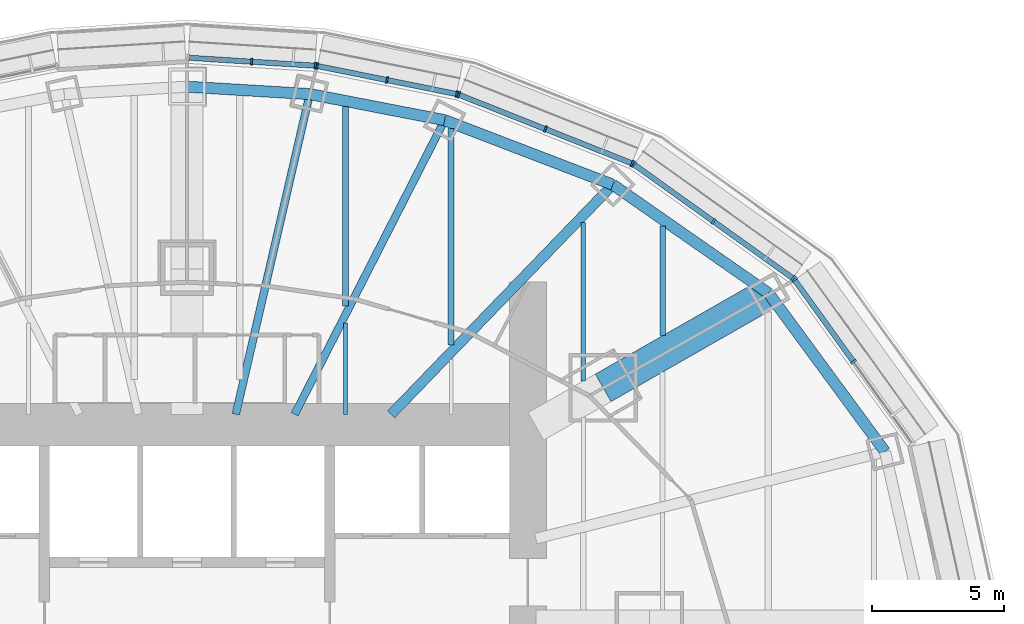
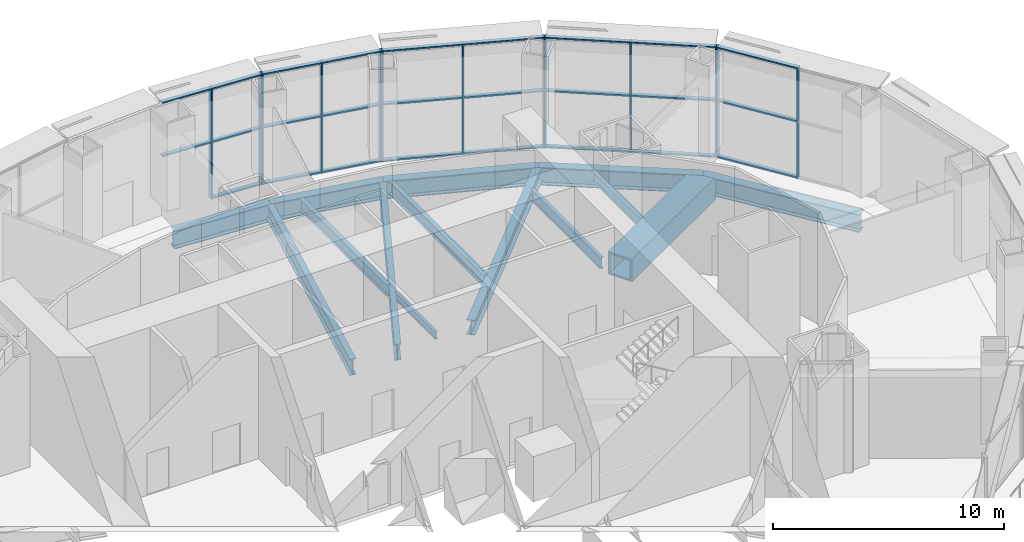
# One storey, part 7 of 21: 39 members, 14 beams, 5 elements without a shape of their own.
"""IFC4 building model written with IfcOpenShell, lengths in metres."""

from ifc_helpers import new_model, si_unit, direction, frame, origin, origin_2d, place, context, subcontext, project, spatial, rectangle, hollow_rectangle, i_section, extrude, material, material_profile, profile_set, type_object, element, aggregate, save


model = new_model("IFC4")

# Units and contexts
model_context = context("Model", 3, precision=1e-05, world=origin(), true_north=direction((0.0, 1.0)))
body_context = subcontext(model_context, "Body", "Model", "MODEL_VIEW")
ifc_project = project(units=[si_unit("LENGTHUNIT", "METRE"), si_unit("AREAUNIT", "SQUARE_METRE"), si_unit("VOLUMEUNIT", "CUBIC_METRE"), si_unit("PLANEANGLEUNIT", "RADIAN"), si_unit("MASSUNIT", "GRAM", prefix="KILO")], contexts=[model_context])

# Site, building, storey
site_placement = place(None, origin())
site = spatial("IfcSite", under=ifc_project, at=site_placement, CompositionType="ELEMENT")
building_placement = place(site_placement, origin())
building = spatial("IfcBuilding", under=site, at=building_placement, Name="Lantaw Convention Tower", CompositionType="ELEMENT")
storey_placement = place(building_placement, frame((0.0, 0.0, 111.39990234375)))
storey = spatial("IfcBuildingStorey", under=building, at=storey_placement, Name="L26", CompositionType="ELEMENT", Elevation=111.39990234375)

# Beams
ifc_material_1 = material(Name="Steel ASTM A992", Category="steel")
ifc_material_profile_1 = material_profile(ifc_material_1, i_section(OverallWidth=0.424072265625, OverallDepth=0.947509765625, WebThickness=0.02392578125, FlangeThickness=0.042724609375, FilletRadius=0.012451171875, at=origin_2d()), Name="W36X302")
ifc_profile_set_1 = profile_set([ifc_material_profile_1], Name="Steel ASTM A992")
beam_type_1 = type_object("IfcBeamType", Name="Beam BC W36X302", PredefinedType="SPANDREL", material=ifc_profile_set_1)
beam_1_placement = place(storey_placement, frame((26.419921875, 6.587158203125, -0.673583984375), z_axis=(-0.5923891972, 0.805651934176, 0.0), x_axis=(-0.805651934176, -0.5923891972, 0.0)))
element("IfcBeam", 1, at=beam_1_placement, inside=storey, type_object=beam_type_1, Name="Belt truss chord 2", PredefinedType="SPANDREL", context=body_context, shape_type="SweptSolid", body=[
    extrude(i_section(OverallWidth=0.424072265625, OverallDepth=0.947509765625, WebThickness=0.02392578125, FlangeThickness=0.042724609375, FilletRadius=0.012451171875, at=origin_2d()), origin(), (0.0, 0.0, 1.0), 7.437744140625),
])
beam_2_placement = place(storey_placement, frame((22.013916015625, 12.579345703125, -0.673583984375), z_axis=(-0.820310765287, 0.57191804339, 0.0), x_axis=(-0.57191804339, -0.820310765287, 0.0)))
element("IfcBeam", 2, at=beam_2_placement, inside=storey, type_object=beam_type_1, Name="Belt truss chord 3", PredefinedType="SPANDREL", context=body_context, shape_type="SweptSolid", body=[
    extrude(i_section(OverallWidth=0.424072265625, OverallDepth=0.947509765625, WebThickness=0.02392578125, FlangeThickness=0.042724609375, FilletRadius=0.012451171875, at=origin_2d()), origin(), (0.0, 0.0, 1.0), 7.187744140625),
])
beam_3_placement = place(storey_placement, frame((16.11767578125, 16.690185546875, -0.673583984375), z_axis=(-0.933691081977, 0.358079549033, 0.0), x_axis=(-0.358079549033, -0.933691081977, 0.0)))
element("IfcBeam", 3, at=beam_3_placement, inside=storey, type_object=beam_type_1, Name="Belt truss chord 4", PredefinedType="SPANDREL", context=body_context, shape_type="SweptSolid", body=[
    extrude(i_section(OverallWidth=0.424072265625, OverallDepth=0.947509765625, WebThickness=0.02392578125, FlangeThickness=0.042724609375, FilletRadius=0.012451171875, at=origin_2d()), origin(), (0.0, 0.0, 1.0), 6.821533203125),
])
beam_4_placement = place(storey_placement, frame((9.74853515625, 19.1328125, -0.673583984375), z_axis=(-0.981796805654, 0.189934284446, 0.0), x_axis=(-0.189934284446, -0.981796805654, 0.0)))
element("IfcBeam", 4, at=beam_4_placement, inside=storey, type_object=beam_type_1, Name="Belt truss chord 5", PredefinedType="SPANDREL", context=body_context, shape_type="SweptSolid", body=[
    extrude(i_section(OverallWidth=0.424072265625, OverallDepth=0.947509765625, WebThickness=0.02392578125, FlangeThickness=0.042724609375, FilletRadius=0.012451171875, at=origin_2d()), origin(), (0.0, 0.0, 1.0), 5.1982421875),
])
beam_5_placement = place(storey_placement, frame((4.64501953125, 20.1201171875, -0.673583984375), z_axis=(-0.998190892054, 0.06012439621, 0.0), x_axis=(-0.06012439621, -0.998190892054, 0.0)))
element("IfcBeam", 5, at=beam_5_placement, inside=storey, type_object=beam_type_1, Name="Belt truss chord 6", PredefinedType="SPANDREL", context=body_context, shape_type="SweptSolid", body=[
    extrude(i_section(OverallWidth=0.424072265625, OverallDepth=0.947509765625, WebThickness=0.02392578125, FlangeThickness=0.042724609375, FilletRadius=0.012451171875, at=origin_2d()), origin(), (0.0, 0.0, 1.0), 4.6533203125),
])
ifc_material_2 = material(Name="Steel EN 10025-3 S460N", Category="steel")
ifc_material_profile_2 = material_profile(ifc_material_2, hollow_rectangle(XDim=1.199951171875, YDim=1.199951171875, WallThickness=0.10009765625, at=origin_2d()), Name="BOX1200X100")
ifc_profile_set_2 = profile_set([ifc_material_profile_2], Name="Steel EN 10025-3 S460N")
beam_type_2 = type_object("IfcBeamType", Name="Beam G BOX1200X100", PredefinedType="BEAM", material=ifc_profile_set_2)
beam_6_placement = place(storey_placement, frame((15.75, 9.0, -0.7998046875), z_axis=(0.868245224608, 0.496135293993, 0.0), x_axis=(-0.496135293993, 0.868245224608, 0.0)))
element("IfcBeam", 6, at=beam_6_placement, inside=storey, type_object=beam_type_2, Name="Floor girder on ray 3", PredefinedType="BEAM", context=body_context, shape_type="SweptSolid", body=[
    extrude(hollow_rectangle(XDim=1.199951171875, YDim=1.199951171875, WallThickness=0.10009765625, at=origin_2d()), origin(), (0.0, 0.0, 1.0), 7.21435546875),
])
ifc_material_profile_3 = material_profile(ifc_material_1, i_section(OverallWidth=0.383544921875, OverallDepth=0.784912109375, WebThickness=0.019775390625, FlangeThickness=0.033447265625, FilletRadius=0.014892578125, at=origin_2d()), Name="W30X211")
ifc_profile_set_3 = profile_set([ifc_material_profile_3], Name="Steel ASTM A992")
beam_type_3 = type_object("IfcBeamType", Name="Beam G W30X211", PredefinedType="BEAM", material=ifc_profile_set_3)
beam_7_placement = place(storey_placement, frame((7.7255859375, 8.0, -0.59228515625), z_axis=(0.694661591875, 0.719336689439, 0.0), x_axis=(-0.719336689439, 0.694661591875, 0.0)))
element("IfcBeam", 7, at=beam_7_placement, inside=storey, type_object=beam_type_3, Name="Floor girder on ray 4", PredefinedType="BEAM", context=body_context, shape_type="SweptSolid", body=[
    extrude(i_section(OverallWidth=0.383544921875, OverallDepth=0.784912109375, WebThickness=0.019775390625, FlangeThickness=0.033447265625, FilletRadius=0.014892578125, at=origin_2d()), origin(), (0.0, 0.0, 1.0), 12.080810546875),
])
ifc_material_profile_4 = material_profile(ifc_material_1, i_section(OverallWidth=0.2919921875, OverallDepth=0.845703125, WebThickness=0.015380859375, FlangeThickness=0.0244140625, FilletRadius=0.01513671875, at=origin_2d()), Name="W33X141")
ifc_profile_set_4 = profile_set([ifc_material_profile_4], Name="Steel ASTM A992")
beam_type_4 = type_object("IfcBeamType", Name="Beam G W33X141", PredefinedType="BEAM", material=ifc_profile_set_4)
beam_8_placement = place(storey_placement, frame((4.076171875, 8.0, -0.622802734375), z_axis=(0.453984907555, 0.891009373527, 0.0), x_axis=(-0.891009373527, 0.453984907555, 0.0)))
element("IfcBeam", 8, at=beam_8_placement, inside=storey, type_object=beam_type_4, Name="Floor girder on ray 5", PredefinedType="BEAM", context=body_context, shape_type="SweptSolid", body=[
    extrude(i_section(OverallWidth=0.2919921875, OverallDepth=0.845703125, WebThickness=0.015380859375, FlangeThickness=0.0244140625, FilletRadius=0.01513671875, at=origin_2d()), origin(), (0.0, 0.0, 1.0), 12.49462890625),
])
beam_9_placement = place(storey_placement, frame((1.846923828125, 8.0, -0.622802734375), z_axis=(0.224946945919, 0.974371013281, 0.0), x_axis=(-0.974371013281, 0.224946945919, 0.0)))
element("IfcBeam", 9, at=beam_9_placement, inside=storey, type_object=beam_type_4, Name="Floor girder on ray 6", PredefinedType="BEAM", context=body_context, shape_type="SweptSolid", body=[
    extrude(i_section(OverallWidth=0.2919921875, OverallDepth=0.845703125, WebThickness=0.015380859375, FlangeThickness=0.0244140625, FilletRadius=0.01513671875, at=origin_2d()), origin(), (0.0, 0.0, 1.0), 12.43896484375),
])
ifc_material_profile_5 = material_profile(ifc_material_1, i_section(OverallWidth=0.140380859375, OverallDepth=0.40380859375, WebThickness=0.007080078125, FlangeThickness=0.01123046875, FilletRadius=0.01025390625, at=origin_2d()), Name="W16X31")
ifc_profile_set_5 = profile_set([ifc_material_profile_5], Name="Steel ASTM A992")
beam_type_5 = type_object("IfcBeamType", Name="Beam J W16X31", PredefinedType="JOIST", material=ifc_profile_set_5)
beam_10_placement = place(storey_placement, frame((6.0, 8.0, -0.40185546875), z_axis=(0.0, 1.0, 0.0), x_axis=(-1.0, 0.0, 0.0)))
element("IfcBeam", 10, at=beam_10_placement, inside=storey, type_object=beam_type_5, Name="Floor joist", PredefinedType="JOIST", context=body_context, shape_type="SweptSolid", body=[
    extrude(i_section(OverallWidth=0.140380859375, OverallDepth=0.40380859375, WebThickness=0.007080078125, FlangeThickness=0.01123046875, FilletRadius=0.01025390625, at=origin_2d()), origin(), (0.0, 0.0, 1.0), 3.453857421875),
])
ifc_material_profile_6 = material_profile(ifc_material_1, i_section(OverallWidth=0.2099609375, OverallDepth=0.535888671875, WebThickness=0.010986328125, FlangeThickness=0.017333984375, FilletRadius=0.012939453125, at=origin_2d()), Name="W21X68")
ifc_profile_set_6 = profile_set([ifc_material_profile_6], Name="Steel ASTM A992")
beam_type_6 = type_object("IfcBeamType", Name="Beam J W21X68", PredefinedType="JOIST", material=ifc_profile_set_6)
beam_11_placement = place(storey_placement, frame((18.0, 10.976806640625, -0.4677734375), z_axis=(0.0, 1.0, 0.0), x_axis=(-1.0, 0.0, 0.0)))
element("IfcBeam", 11, at=beam_11_placement, inside=storey, type_object=beam_type_6, Name="Floor joist", PredefinedType="JOIST", context=body_context, shape_type="SweptSolid", body=[
    extrude(i_section(OverallWidth=0.2099609375, OverallDepth=0.535888671875, WebThickness=0.010986328125, FlangeThickness=0.017333984375, FilletRadius=0.012939453125, at=origin_2d()), origin(), (0.0, 0.0, 1.0), 4.142578125),
])
ifc_material_profile_7 = material_profile(ifc_material_1, i_section(OverallWidth=0.177978515625, OverallDepth=0.599365234375, WebThickness=0.010009765625, FlangeThickness=0.012939453125, FilletRadius=0.012939453125, at=origin_2d()), Name="W24X55")
ifc_profile_set_7 = profile_set([ifc_material_profile_7], Name="Steel ASTM A992")
beam_type_7 = type_object("IfcBeamType", Name="Beam J W24X55", PredefinedType="JOIST", material=ifc_profile_set_7)
beam_12_placement = place(storey_placement, frame((15.0, 9.262451171875, -0.49951171875), z_axis=(0.0, 1.0, 0.0), x_axis=(-1.0, 0.0, 0.0)))
element("IfcBeam", 12, at=beam_12_placement, inside=storey, type_object=beam_type_7, Name="Floor joist", PredefinedType="JOIST", context=body_context, shape_type="SweptSolid", body=[
    extrude(i_section(OverallWidth=0.177978515625, OverallDepth=0.599365234375, WebThickness=0.010009765625, FlangeThickness=0.012939453125, FilletRadius=0.012939453125, at=origin_2d()), origin(), (0.0, 0.0, 1.0), 5.994384765625),
])
ifc_material_profile_8 = material_profile(ifc_material_1, i_section(OverallWidth=0.227783203125, OverallDepth=0.60205078125, WebThickness=0.010498046875, FlangeThickness=0.014892578125, FilletRadius=0.012939453125, at=origin_2d()), Name="W24X68")
ifc_profile_set_8 = profile_set([ifc_material_profile_8], Name="Steel ASTM A992")
beam_type_8 = type_object("IfcBeamType", Name="Beam J W24X68", PredefinedType="JOIST", material=ifc_profile_set_8)
beam_13_placement = place(storey_placement, frame((6.0, 12.097412109375, -0.5009765625), z_axis=(0.0, 1.0, 0.0), x_axis=(-1.0, 0.0, 0.0)))
element("IfcBeam", 13, at=beam_13_placement, inside=storey, type_object=beam_type_8, Name="Floor joist", PredefinedType="JOIST", context=body_context, shape_type="SweptSolid", body=[
    extrude(i_section(OverallWidth=0.227783203125, OverallDepth=0.60205078125, WebThickness=0.010498046875, FlangeThickness=0.014892578125, FilletRadius=0.012939453125, at=origin_2d()), origin(), (0.0, 0.0, 1.0), 7.54443359375),
])
ifc_material_profile_9 = material_profile(ifc_material_1, i_section(OverallWidth=0.22900390625, OverallDepth=0.612060546875, WebThickness=0.011962890625, FlangeThickness=0.01953125, FilletRadius=0.0126953125, at=origin_2d()), Name="W24X84")
ifc_profile_set_9 = profile_set([ifc_material_profile_9], Name="Steel ASTM A992")
beam_type_9 = type_object("IfcBeamType", Name="Beam J W24X84", PredefinedType="JOIST", material=ifc_profile_set_9)
beam_14_placement = place(storey_placement, frame((10.0, 10.63134765625, -0.505859375), z_axis=(0.0, 1.0, 0.0), x_axis=(-1.0, 0.0, 0.0)))
element("IfcBeam", 14, at=beam_14_placement, inside=storey, type_object=beam_type_9, Name="Floor joist", PredefinedType="JOIST", context=body_context, shape_type="SweptSolid", body=[
    extrude(i_section(OverallWidth=0.22900390625, OverallDepth=0.612060546875, WebThickness=0.011962890625, FlangeThickness=0.01953125, FilletRadius=0.0126953125, at=origin_2d()), origin(), (0.0, 0.0, 1.0), 8.177734375),
])

# Curtain wall, members
ifc_material_3 = material(Name="Aluminium framed curtain wall", Category="aluminium")
curtain_wall_type = type_object("IfcCurtainWallType", Name="Sky lobby curtain wall L26, pale aluminium", PredefinedType="USERDEFINED", material=ifc_material_3)
curtain_wall_1_placement = place(storey_placement, origin())
curtain_wall_1 = element("IfcCurtainWall", 15, at=curtain_wall_1_placement, inside=storey, type_object=curtain_wall_type, Name="Sky lobby curtain wall L26, pale aluminium L26", ObjectType="STICK CURTAIN WALL", PredefinedType="USERDEFINED")
ifc_material_4 = material(Name="Aluminium 6063-T6", Category="aluminium")
ifc_material_profile_10 = material_profile(ifc_material_4, rectangle(XDim=0.25, YDim=0.074951171875, at=origin_2d()), Name="CW-SL mullion 75x250")
ifc_profile_set_10 = profile_set([ifc_material_profile_10], Name="Aluminium 6063-T6")
member_type_1 = type_object("IfcMemberType", Name="CW-SL mullion 75x250", PredefinedType="MULLION", material=ifc_profile_set_10)
member_1_placement = place(storey_placement, frame((25.22802734375, 9.9892578125, 0.0), z_axis=(0.0, 0.0, 1.0), x_axis=(-0.811384633629, -0.584512597221, 0.0)))
member_1 = element("IfcMember", 16, at=member_1_placement, type_object=member_type_1, Name="CW-SL mullion 2", PredefinedType="MULLION", context=body_context, shape_type="SweptSolid", body=[
    extrude(rectangle(XDim=0.25, YDim=0.074951171875, at=origin_2d()), origin(), (0.0, 0.0, 1.0), 5.85009765625),
])
member_2_placement = place(storey_placement, frame((22.990966796875, 13.0947265625, 0.0), z_axis=(0.0, 0.0, 1.0), x_axis=(-0.811384633629, -0.584512597221, 0.0)))
member_2 = element("IfcMember", 17, at=member_2_placement, type_object=member_type_1, Name="CW-SL mullion 3", PredefinedType="MULLION", context=body_context, shape_type="SweptSolid", body=[
    extrude(rectangle(XDim=0.25, YDim=0.074951171875, at=origin_2d()), origin(), (0.0, 0.0, 1.0), 5.85009765625),
])

curtain_wall_2_placement = place(storey_placement, origin())
curtain_wall_2 = element("IfcCurtainWall", 18, at=curtain_wall_2_placement, inside=storey, type_object=curtain_wall_type, Name="Sky lobby curtain wall L26, pale aluminium L26", ObjectType="STICK CURTAIN WALL", PredefinedType="USERDEFINED")
member_3_placement = place(storey_placement, frame((22.9384765625, 13.14697265625, 0.0), z_axis=(0.0, 0.0, 1.0), x_axis=(-0.581972695693, -0.813208325995, 0.0)))
member_3 = element("IfcMember", 19, at=member_3_placement, type_object=member_type_1, Name="CW-SL mullion 1", PredefinedType="MULLION", context=body_context, shape_type="SweptSolid", body=[
    extrude(rectangle(XDim=0.25, YDim=0.074951171875, at=origin_2d()), origin(), (0.0, 0.0, 1.0), 5.85009765625),
])
member_4_placement = place(storey_placement, frame((19.92529296875, 15.303466796875, 0.0), z_axis=(0.0, 0.0, 1.0), x_axis=(-0.581972695693, -0.813208325995, 0.0)))
member_4 = element("IfcMember", 20, at=member_4_placement, type_object=member_type_1, Name="CW-SL mullion 2", PredefinedType="MULLION", context=body_context, shape_type="SweptSolid", body=[
    extrude(rectangle(XDim=0.25, YDim=0.074951171875, at=origin_2d()), origin(), (0.0, 0.0, 1.0), 5.85009765625),
])
member_5_placement = place(storey_placement, frame((16.912353515625, 17.459716796875, 0.0), z_axis=(0.0, 0.0, 1.0), x_axis=(-0.581972695693, -0.813208325995, 0.0)))
member_5 = element("IfcMember", 21, at=member_5_placement, type_object=member_type_1, Name="CW-SL mullion 3", PredefinedType="MULLION", context=body_context, shape_type="SweptSolid", body=[
    extrude(rectangle(XDim=0.25, YDim=0.074951171875, at=origin_2d()), origin(), (0.0, 0.0, 1.0), 5.85009765625),
])

curtain_wall_3_placement = place(storey_placement, origin())
curtain_wall_3 = element("IfcCurtainWall", 22, at=curtain_wall_3_placement, inside=storey, type_object=curtain_wall_type, Name="Sky lobby curtain wall L26, pale aluminium L26", ObjectType="STICK CURTAIN WALL", PredefinedType="USERDEFINED")
member_6_placement = place(storey_placement, frame((16.846923828125, 17.495361328125, 0.0), z_axis=(0.0, 0.0, 1.0), x_axis=(-0.368701907483, -0.929547687544, 0.0)))
member_6 = element("IfcMember", 23, at=member_6_placement, type_object=member_type_1, Name="CW-SL mullion 1", PredefinedType="MULLION", context=body_context, shape_type="SweptSolid", body=[
    extrude(rectangle(XDim=0.25, YDim=0.074951171875, at=origin_2d()), origin(), (0.0, 0.0, 1.0), 5.85009765625),
])
member_7_placement = place(storey_placement, frame((13.56494140625, 18.797119140625, 0.0), z_axis=(0.0, 0.0, 1.0), x_axis=(-0.368701907483, -0.929547687544, 0.0)))
member_7 = element("IfcMember", 24, at=member_7_placement, type_object=member_type_1, Name="CW-SL mullion 2", PredefinedType="MULLION", context=body_context, shape_type="SweptSolid", body=[
    extrude(rectangle(XDim=0.25, YDim=0.074951171875, at=origin_2d()), origin(), (0.0, 0.0, 1.0), 5.85009765625),
])
member_8_placement = place(storey_placement, frame((10.282958984375, 20.098876953125, 0.0), z_axis=(0.0, 0.0, 1.0), x_axis=(-0.368701907483, -0.929547687544, 0.0)))
member_8 = element("IfcMember", 25, at=member_8_placement, type_object=member_type_1, Name="CW-SL mullion 3", PredefinedType="MULLION", context=body_context, shape_type="SweptSolid", body=[
    extrude(rectangle(XDim=0.25, YDim=0.074951171875, at=origin_2d()), origin(), (0.0, 0.0, 1.0), 5.85009765625),
])

curtain_wall_4_placement = place(storey_placement, origin())
curtain_wall_4 = element("IfcCurtainWall", 26, at=curtain_wall_4_placement, inside=storey, type_object=curtain_wall_type, Name="Sky lobby curtain wall L26, pale aluminium L26", ObjectType="STICK CURTAIN WALL", PredefinedType="USERDEFINED")
member_9_placement = place(storey_placement, frame((10.211181640625, 20.1201171875, 0.0), z_axis=(0.0, 0.0, 1.0), x_axis=(-0.197506809659, -0.980301514912, 0.0)))
member_9 = element("IfcMember", 27, at=member_9_placement, type_object=member_type_1, Name="CW-SL mullion 1", PredefinedType="MULLION", context=body_context, shape_type="SweptSolid", body=[
    extrude(rectangle(XDim=0.25, YDim=0.074951171875, at=origin_2d()), origin(), (0.0, 0.0, 1.0), 5.85009765625),
])
member_10_placement = place(storey_placement, frame((7.5703125, 20.65234375, 0.0), z_axis=(0.0, 0.0, 1.0), x_axis=(-0.197506809659, -0.980301514912, 0.0)))
member_10 = element("IfcMember", 28, at=member_10_placement, type_object=member_type_1, Name="CW-SL mullion 2", PredefinedType="MULLION", context=body_context, shape_type="SweptSolid", body=[
    extrude(rectangle(XDim=0.25, YDim=0.074951171875, at=origin_2d()), origin(), (0.0, 0.0, 1.0), 5.85009765625),
])
member_11_placement = place(storey_placement, frame((4.92919921875, 21.184326171875, 0.0), z_axis=(0.0, 0.0, 1.0), x_axis=(-0.197506809659, -0.980301514912, 0.0)))
member_11 = element("IfcMember", 29, at=member_11_placement, type_object=member_type_1, Name="CW-SL mullion 3", PredefinedType="MULLION", context=body_context, shape_type="SweptSolid", body=[
    extrude(rectangle(XDim=0.25, YDim=0.074951171875, at=origin_2d()), origin(), (0.0, 0.0, 1.0), 5.85009765625),
])

curtain_wall_5_placement = place(storey_placement, origin())
curtain_wall_5 = element("IfcCurtainWall", 30, at=curtain_wall_5_placement, inside=storey, type_object=curtain_wall_type, Name="Sky lobby curtain wall L26, pale aluminium L26", ObjectType="STICK CURTAIN WALL", PredefinedType="USERDEFINED")
member_12_placement = place(storey_placement, frame((4.85498046875, 21.194091796875, 0.0), z_axis=(0.0, 0.0, 1.0), x_axis=(-0.062865059466, -0.998022035978, 0.0)))
member_12 = element("IfcMember", 31, at=member_12_placement, type_object=member_type_1, Name="CW-SL mullion 1", PredefinedType="MULLION", context=body_context, shape_type="SweptSolid", body=[
    extrude(rectangle(XDim=0.25, YDim=0.074951171875, at=origin_2d()), origin(), (0.0, 0.0, 1.0), 5.85009765625),
])
member_13_placement = place(storey_placement, frame((2.4462890625, 21.345947265625, 0.0), z_axis=(0.0, 0.0, 1.0), x_axis=(-0.062865059466, -0.998022035978, 0.0)))
member_13 = element("IfcMember", 32, at=member_13_placement, type_object=member_type_1, Name="CW-SL mullion 2", PredefinedType="MULLION", context=body_context, shape_type="SweptSolid", body=[
    extrude(rectangle(XDim=0.25, YDim=0.074951171875, at=origin_2d()), origin(), (0.0, 0.0, 1.0), 5.85009765625),
])

# Member
ifc_material_profile_11 = material_profile(ifc_material_4, rectangle(XDim=0.199951171875, YDim=0.074951171875, at=origin_2d()), Name="CW-SL transom 75x200")
ifc_profile_set_11 = profile_set([ifc_material_profile_11], Name="Aluminium 6063-T6")
member_type_2 = type_object("IfcMemberType", Name="CW-SL transom 75x200", PredefinedType="USERDEFINED", material=ifc_profile_set_11)
member_14_placement = place(storey_placement, frame((25.206298828125, 10.019775390625, 0.03759765625), z_axis=(-0.584513808676, 0.811383760909, 0.0), x_axis=(-0.811383760909, -0.584513808676, 0.0)))
member_14 = element("IfcMember", 33, at=member_14_placement, type_object=member_type_2, Name="CW-SL transom 2.1", ObjectType="TRANSOM", PredefinedType="USERDEFINED", context=body_context, shape_type="SweptSolid", body=[
    extrude(rectangle(XDim=0.199951171875, YDim=0.074951171875, at=origin_2d()), origin(), (0.0, 0.0, 1.0), 3.75244140625),
])

member_15_placement = place(storey_placement, frame((25.206298828125, 10.019775390625, 3.0), z_axis=(-0.584513808676, 0.811383760909, 0.0), x_axis=(-0.811383760909, -0.584513808676, 0.0)))
member_15 = element("IfcMember", 34, at=member_15_placement, type_object=member_type_2, Name="CW-SL transom 2.2", ObjectType="TRANSOM", PredefinedType="USERDEFINED", context=body_context, shape_type="SweptSolid", body=[
    extrude(rectangle(XDim=0.199951171875, YDim=0.074951171875, at=origin_2d()), origin(), (0.0, 0.0, 1.0), 3.75244140625),
])

member_16_placement = place(storey_placement, frame((25.206298828125, 10.019775390625, 5.8125), z_axis=(-0.584513808676, 0.811383760909, 0.0), x_axis=(-0.811383760909, -0.584513808676, 0.0)))
member_16 = element("IfcMember", 35, at=member_16_placement, type_object=member_type_2, Name="CW-SL transom 2.3", ObjectType="TRANSOM", PredefinedType="USERDEFINED", context=body_context, shape_type="SweptSolid", body=[
    extrude(rectangle(XDim=0.199951171875, YDim=0.074951171875, at=origin_2d()), origin(), (0.0, 0.0, 1.0), 3.75244140625),
])

aggregate(curtain_wall_1, [member_1, member_2, member_14, member_15, member_16])

member_17_placement = place(storey_placement, frame((22.907958984375, 13.1689453125, 0.03759765625), z_axis=(-0.813228763898, 0.581944136124, 0.0), x_axis=(-0.581944136124, -0.813228763898, 0.0)))
member_17 = element("IfcMember", 36, at=member_17_placement, type_object=member_type_2, Name="CW-SL transom 1.1", ObjectType="TRANSOM", PredefinedType="USERDEFINED", context=body_context, shape_type="SweptSolid", body=[
    extrude(rectangle(XDim=0.199951171875, YDim=0.074951171875, at=origin_2d()), origin(), (0.0, 0.0, 1.0), 3.630126953125),
])

member_18_placement = place(storey_placement, frame((22.907958984375, 13.1689453125, 3.0), z_axis=(-0.813228763898, 0.581944136124, 0.0), x_axis=(-0.581944136124, -0.813228763898, 0.0)))
member_18 = element("IfcMember", 37, at=member_18_placement, type_object=member_type_2, Name="CW-SL transom 1.2", ObjectType="TRANSOM", PredefinedType="USERDEFINED", context=body_context, shape_type="SweptSolid", body=[
    extrude(rectangle(XDim=0.199951171875, YDim=0.074951171875, at=origin_2d()), origin(), (0.0, 0.0, 1.0), 3.630126953125),
])

member_19_placement = place(storey_placement, frame((22.907958984375, 13.1689453125, 5.8125), z_axis=(-0.813228763898, 0.581944136124, 0.0), x_axis=(-0.581944136124, -0.813228763898, 0.0)))
member_19 = element("IfcMember", 38, at=member_19_placement, type_object=member_type_2, Name="CW-SL transom 1.3", ObjectType="TRANSOM", PredefinedType="USERDEFINED", context=body_context, shape_type="SweptSolid", body=[
    extrude(rectangle(XDim=0.199951171875, YDim=0.074951171875, at=origin_2d()), origin(), (0.0, 0.0, 1.0), 3.630126953125),
])

member_20_placement = place(storey_placement, frame((19.89501953125, 15.3251953125, 0.03759765625), z_axis=(-0.813219712688, 0.581956784388, 0.0), x_axis=(-0.581956784388, -0.813219712688, 0.0)))
member_20 = element("IfcMember", 39, at=member_20_placement, type_object=member_type_2, Name="CW-SL transom 2.1", ObjectType="TRANSOM", PredefinedType="USERDEFINED", context=body_context, shape_type="SweptSolid", body=[
    extrude(rectangle(XDim=0.199951171875, YDim=0.074951171875, at=origin_2d()), origin(), (0.0, 0.0, 1.0), 3.630615234375),
])

member_21_placement = place(storey_placement, frame((19.89501953125, 15.3251953125, 3.0), z_axis=(-0.813219712688, 0.581956784388, 0.0), x_axis=(-0.581956784388, -0.813219712688, 0.0)))
member_21 = element("IfcMember", 40, at=member_21_placement, type_object=member_type_2, Name="CW-SL transom 2.2", ObjectType="TRANSOM", PredefinedType="USERDEFINED", context=body_context, shape_type="SweptSolid", body=[
    extrude(rectangle(XDim=0.199951171875, YDim=0.074951171875, at=origin_2d()), origin(), (0.0, 0.0, 1.0), 3.630615234375),
])

member_22_placement = place(storey_placement, frame((19.89501953125, 15.3251953125, 5.8125), z_axis=(-0.813219712688, 0.581956784388, 0.0), x_axis=(-0.581956784388, -0.813219712688, 0.0)))
member_22 = element("IfcMember", 41, at=member_22_placement, type_object=member_type_2, Name="CW-SL transom 2.3", ObjectType="TRANSOM", PredefinedType="USERDEFINED", context=body_context, shape_type="SweptSolid", body=[
    extrude(rectangle(XDim=0.199951171875, YDim=0.074951171875, at=origin_2d()), origin(), (0.0, 0.0, 1.0), 3.630615234375),
])

aggregate(curtain_wall_2, [member_3, member_4, member_5, member_17, member_18, member_19, member_20, member_21, member_22])

member_23_placement = place(storey_placement, frame((16.81201171875, 17.50927734375, 0.03759765625), z_axis=(-0.929539914799, 0.368721503028, 0.0), x_axis=(-0.368721503028, -0.929539914799, 0.0)))
member_23 = element("IfcMember", 42, at=member_23_placement, type_object=member_type_2, Name="CW-SL transom 1.1", ObjectType="TRANSOM", PredefinedType="USERDEFINED", context=body_context, shape_type="SweptSolid", body=[
    extrude(rectangle(XDim=0.199951171875, YDim=0.074951171875, at=origin_2d()), origin(), (0.0, 0.0, 1.0), 3.45556640625),
])

member_24_placement = place(storey_placement, frame((16.81201171875, 17.50927734375, 3.0), z_axis=(-0.929539914799, 0.368721503028, 0.0), x_axis=(-0.368721503028, -0.929539914799, 0.0)))
member_24 = element("IfcMember", 43, at=member_24_placement, type_object=member_type_2, Name="CW-SL transom 1.2", ObjectType="TRANSOM", PredefinedType="USERDEFINED", context=body_context, shape_type="SweptSolid", body=[
    extrude(rectangle(XDim=0.199951171875, YDim=0.074951171875, at=origin_2d()), origin(), (0.0, 0.0, 1.0), 3.45556640625),
])

member_25_placement = place(storey_placement, frame((16.81201171875, 17.50927734375, 5.8125), z_axis=(-0.929539914799, 0.368721503028, 0.0), x_axis=(-0.368721503028, -0.929539914799, 0.0)))
member_25 = element("IfcMember", 44, at=member_25_placement, type_object=member_type_2, Name="CW-SL transom 1.3", ObjectType="TRANSOM", PredefinedType="USERDEFINED", context=body_context, shape_type="SweptSolid", body=[
    extrude(rectangle(XDim=0.199951171875, YDim=0.074951171875, at=origin_2d()), origin(), (0.0, 0.0, 1.0), 3.45556640625),
])

member_26_placement = place(storey_placement, frame((13.530029296875, 18.81103515625, 0.03759765625), z_axis=(-0.92954951909, 0.368697289872, 0.0), x_axis=(-0.368697289872, -0.92954951909, 0.0)))
member_26 = element("IfcMember", 45, at=member_26_placement, type_object=member_type_2, Name="CW-SL transom 2.1", ObjectType="TRANSOM", PredefinedType="USERDEFINED", context=body_context, shape_type="SweptSolid", body=[
    extrude(rectangle(XDim=0.199951171875, YDim=0.074951171875, at=origin_2d()), origin(), (0.0, 0.0, 1.0), 3.455810546875),
])

member_27_placement = place(storey_placement, frame((13.530029296875, 18.81103515625, 3.0), z_axis=(-0.92954951909, 0.368697289872, 0.0), x_axis=(-0.368697289872, -0.92954951909, 0.0)))
member_27 = element("IfcMember", 46, at=member_27_placement, type_object=member_type_2, Name="CW-SL transom 2.2", ObjectType="TRANSOM", PredefinedType="USERDEFINED", context=body_context, shape_type="SweptSolid", body=[
    extrude(rectangle(XDim=0.199951171875, YDim=0.074951171875, at=origin_2d()), origin(), (0.0, 0.0, 1.0), 3.455810546875),
])

member_28_placement = place(storey_placement, frame((13.530029296875, 18.81103515625, 5.8125), z_axis=(-0.92954951909, 0.368697289872, 0.0), x_axis=(-0.368697289872, -0.92954951909, 0.0)))
member_28 = element("IfcMember", 47, at=member_28_placement, type_object=member_type_2, Name="CW-SL transom 2.3", ObjectType="TRANSOM", PredefinedType="USERDEFINED", context=body_context, shape_type="SweptSolid", body=[
    extrude(rectangle(XDim=0.199951171875, YDim=0.074951171875, at=origin_2d()), origin(), (0.0, 0.0, 1.0), 3.455810546875),
])

aggregate(curtain_wall_3, [member_6, member_7, member_8, member_23, member_24, member_25, member_26, member_27, member_28])

member_29_placement = place(storey_placement, frame((10.174560546875, 20.127685546875, 0.03759765625), z_axis=(-0.980300045913, 0.197514100722, 0.0), x_axis=(-0.197514100722, -0.980300045913, 0.0)))
member_29 = element("IfcMember", 48, at=member_29_placement, type_object=member_type_2, Name="CW-SL transom 1.1", ObjectType="TRANSOM", PredefinedType="USERDEFINED", context=body_context, shape_type="SweptSolid", body=[
    extrude(rectangle(XDim=0.199951171875, YDim=0.074951171875, at=origin_2d()), origin(), (0.0, 0.0, 1.0), 2.619140625),
])

member_30_placement = place(storey_placement, frame((10.174560546875, 20.127685546875, 3.0), z_axis=(-0.980300045913, 0.197514100722, 0.0), x_axis=(-0.197514100722, -0.980300045913, 0.0)))
member_30 = element("IfcMember", 49, at=member_30_placement, type_object=member_type_2, Name="CW-SL transom 1.2", ObjectType="TRANSOM", PredefinedType="USERDEFINED", context=body_context, shape_type="SweptSolid", body=[
    extrude(rectangle(XDim=0.199951171875, YDim=0.074951171875, at=origin_2d()), origin(), (0.0, 0.0, 1.0), 2.619140625),
])

member_31_placement = place(storey_placement, frame((10.174560546875, 20.127685546875, 5.8125), z_axis=(-0.980300045913, 0.197514100722, 0.0), x_axis=(-0.197514100722, -0.980300045913, 0.0)))
member_31 = element("IfcMember", 50, at=member_31_placement, type_object=member_type_2, Name="CW-SL transom 1.3", ObjectType="TRANSOM", PredefinedType="USERDEFINED", context=body_context, shape_type="SweptSolid", body=[
    extrude(rectangle(XDim=0.199951171875, YDim=0.074951171875, at=origin_2d()), origin(), (0.0, 0.0, 1.0), 2.619140625),
])

member_32_placement = place(storey_placement, frame((7.533447265625, 20.65966796875, 0.03759765625), z_axis=(-0.980296409083, 0.197532150138, 0.0), x_axis=(-0.197532150138, -0.980296409083, 0.0)))
member_32 = element("IfcMember", 51, at=member_32_placement, type_object=member_type_2, Name="CW-SL transom 2.1", ObjectType="TRANSOM", PredefinedType="USERDEFINED", context=body_context, shape_type="SweptSolid", body=[
    extrude(rectangle(XDim=0.199951171875, YDim=0.074951171875, at=origin_2d()), origin(), (0.0, 0.0, 1.0), 2.618896484375),
])

member_33_placement = place(storey_placement, frame((7.533447265625, 20.65966796875, 3.0), z_axis=(-0.980296409083, 0.197532150138, 0.0), x_axis=(-0.197532150138, -0.980296409083, 0.0)))
member_33 = element("IfcMember", 52, at=member_33_placement, type_object=member_type_2, Name="CW-SL transom 2.2", ObjectType="TRANSOM", PredefinedType="USERDEFINED", context=body_context, shape_type="SweptSolid", body=[
    extrude(rectangle(XDim=0.199951171875, YDim=0.074951171875, at=origin_2d()), origin(), (0.0, 0.0, 1.0), 2.618896484375),
])

member_34_placement = place(storey_placement, frame((7.533447265625, 20.65966796875, 5.8125), z_axis=(-0.980296409083, 0.197532150138, 0.0), x_axis=(-0.197532150138, -0.980296409083, 0.0)))
member_34 = element("IfcMember", 53, at=member_34_placement, type_object=member_type_2, Name="CW-SL transom 2.3", ObjectType="TRANSOM", PredefinedType="USERDEFINED", context=body_context, shape_type="SweptSolid", body=[
    extrude(rectangle(XDim=0.199951171875, YDim=0.074951171875, at=origin_2d()), origin(), (0.0, 0.0, 1.0), 2.618896484375),
])

aggregate(curtain_wall_4, [member_9, member_10, member_11, member_29, member_30, member_31, member_32, member_33, member_34])

member_35_placement = place(storey_placement, frame((4.817626953125, 21.196533203125, 0.03759765625), z_axis=(-0.998023221725, 0.062846232163, 0.0), x_axis=(-0.062846232163, -0.998023221725, 0.0)))
member_35 = element("IfcMember", 54, at=member_35_placement, type_object=member_type_2, Name="CW-SL transom 1.1", ObjectType="TRANSOM", PredefinedType="USERDEFINED", context=body_context, shape_type="SweptSolid", body=[
    extrude(rectangle(XDim=0.199951171875, YDim=0.074951171875, at=origin_2d()), origin(), (0.0, 0.0, 1.0), 2.338623046875),
])

member_36_placement = place(storey_placement, frame((4.817626953125, 21.196533203125, 3.0), z_axis=(-0.998023221725, 0.062846232163, 0.0), x_axis=(-0.062846232163, -0.998023221725, 0.0)))
member_36 = element("IfcMember", 55, at=member_36_placement, type_object=member_type_2, Name="CW-SL transom 1.2", ObjectType="TRANSOM", PredefinedType="USERDEFINED", context=body_context, shape_type="SweptSolid", body=[
    extrude(rectangle(XDim=0.199951171875, YDim=0.074951171875, at=origin_2d()), origin(), (0.0, 0.0, 1.0), 2.338623046875),
])

member_37_placement = place(storey_placement, frame((4.817626953125, 21.196533203125, 5.8125), z_axis=(-0.998023221725, 0.062846232163, 0.0), x_axis=(-0.062846232163, -0.998023221725, 0.0)))
member_37 = element("IfcMember", 56, at=member_37_placement, type_object=member_type_2, Name="CW-SL transom 1.3", ObjectType="TRANSOM", PredefinedType="USERDEFINED", context=body_context, shape_type="SweptSolid", body=[
    extrude(rectangle(XDim=0.199951171875, YDim=0.074951171875, at=origin_2d()), origin(), (0.0, 0.0, 1.0), 2.338623046875),
])

member_38_placement = place(storey_placement, frame((2.408935546875, 21.348388671875, 3.0), z_axis=(-0.998023221725, 0.062846232163, 0.0), x_axis=(-0.062846232163, -0.998023221725, 0.0)))
member_38 = element("IfcMember", 57, at=member_38_placement, type_object=member_type_2, Name="CW-SL transom 2.2", ObjectType="TRANSOM", PredefinedType="USERDEFINED", context=body_context, shape_type="SweptSolid", body=[
    extrude(rectangle(XDim=0.199951171875, YDim=0.074951171875, at=origin_2d()), origin(), (0.0, 0.0, 1.0), 2.338623046875),
])

member_39_placement = place(storey_placement, frame((2.408935546875, 21.348388671875, 5.8125), z_axis=(-0.998023221725, 0.062846232163, 0.0), x_axis=(-0.062846232163, -0.998023221725, 0.0)))
member_39 = element("IfcMember", 58, at=member_39_placement, type_object=member_type_2, Name="CW-SL transom 2.3", ObjectType="TRANSOM", PredefinedType="USERDEFINED", context=body_context, shape_type="SweptSolid", body=[
    extrude(rectangle(XDim=0.199951171875, YDim=0.074951171875, at=origin_2d()), origin(), (0.0, 0.0, 1.0), 2.338623046875),
])

aggregate(curtain_wall_5, [member_12, member_13, member_35, member_36, member_37, member_38, member_39])

save(model, "model.ifc")
